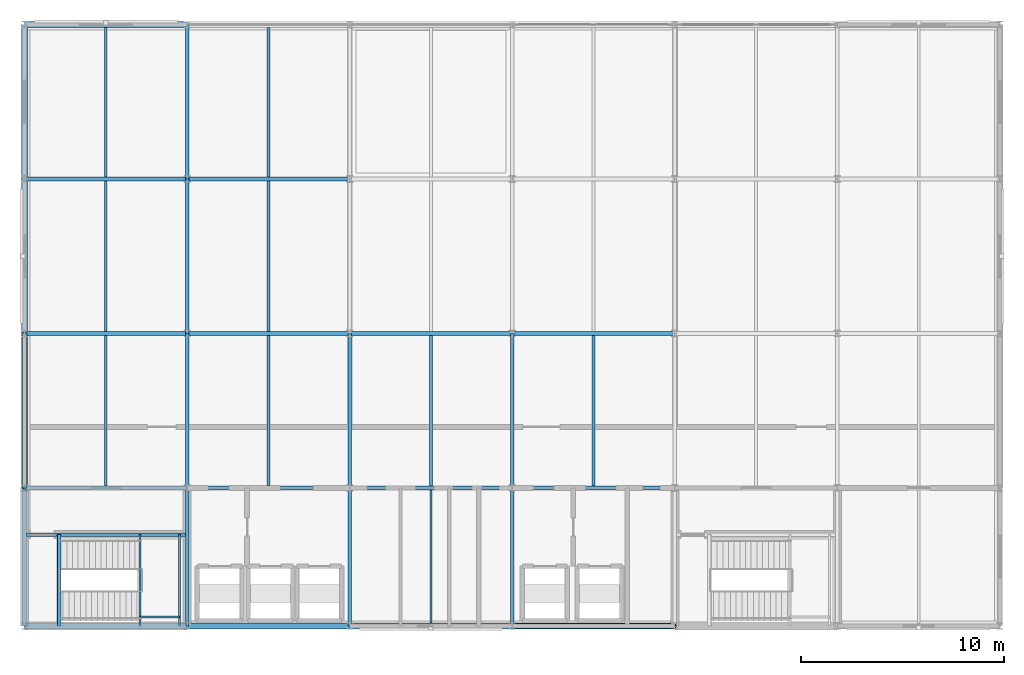
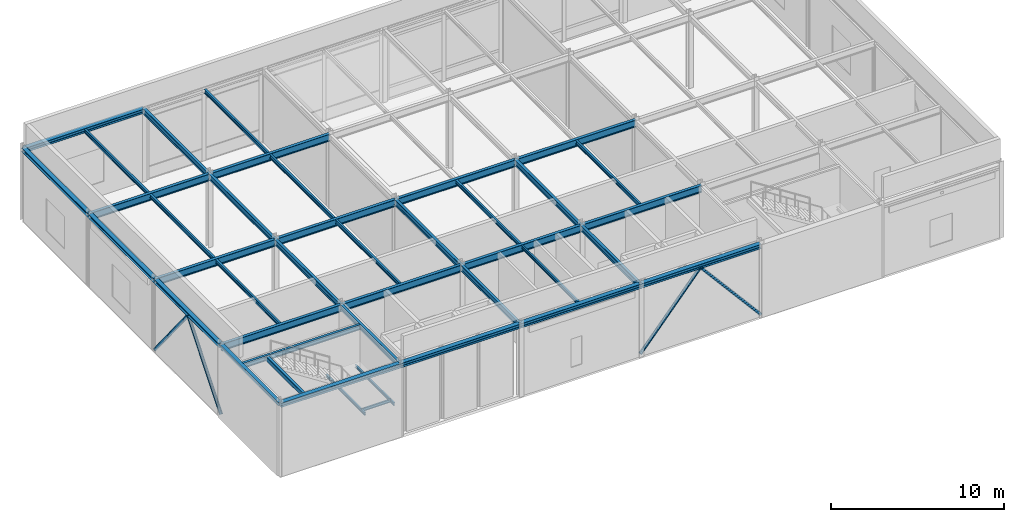
# One storey, part 3 of 12: 41 beams, 4 members.
"""IFC4 building model written with IfcOpenShell, lengths in metres."""

import ifcopenshell
import ifcopenshell.guid

model = None  # the IFC model being written
_history = None  # IfcOwnerHistory: only IFC2X3 demands one
_inside = {}  # id of a spatial element -> (the spatial element, [elements in it])
_under = {}  # id of a project, library or spatial element -> (it, [spatial elements below it])
_declared = {}  # id of a project -> (the project, [libraries it declares])
_typed = {}  # id of a type object -> (the type object, [elements of that type])
_made_of = {}  # id of a material, layer set ... -> (it, [elements and type objects made of it])


def new_model(schema):
    """Start an empty IFC model of exactly this schema.

    Asked for "IFC4X3", IfcOpenShell would pick the latest addendum, in which some entities
    have other attributes; the version numbers below select the first issue.
    IFC2X3 requires an IfcOwnerHistory on every rooted entity: one is made here for all.
    """
    global model, _history
    if schema == "IFC4X3":
        model = ifcopenshell.file(schema_version=(4, 3, 0, 0))
    else:
        model = ifcopenshell.file(schema=schema)
    _inside.clear()
    _under.clear()
    _declared.clear()
    _typed.clear()
    _made_of.clear()
    _history = None
    if model.schema == "IFC2X3":
        org = make("IfcOrganization", Name="unknown")
        user = make(
            "IfcPersonAndOrganization",
            ThePerson=make("IfcPerson", FamilyName="unknown"),
            TheOrganization=org,
        )
        app = make(
            "IfcApplication",
            ApplicationDeveloper=org,
            Version="unknown",
            ApplicationFullName="unknown",
            ApplicationIdentifier="unknown",
        )
        _history = make(
            "IfcOwnerHistory",
            OwningUser=user,
            OwningApplication=app,
            ChangeAction="ADDED",
            CreationDate=0,
        )
    return model


def make(cls, **values):
    """One entity of the class cls with the attributes given. An attribute that is None is left unset."""
    return model.create_entity(
        cls, **{name: value for name, value in values.items() if value is not None}
    )


def rooted(cls, **values):
    """An entity with a GlobalId (a new one), such as an element, a storey or a relation."""
    return make(cls, GlobalId=ifcopenshell.guid.new(), OwnerHistory=_history, **values)


def si_unit(unit_type, name, prefix=None):
    """IfcSIUnit, for example si_unit("LENGTHUNIT", "METRE", prefix="MILLI")."""
    return make("IfcSIUnit", UnitType=unit_type, Prefix=prefix, Name=name)


def assignment(units):
    """IfcUnitAssignment: the units of a project."""
    return None if units is None else make("IfcUnitAssignment", Units=units)


def point(xyz):
    """IfcCartesianPoint."""
    return None if xyz is None else make("IfcCartesianPoint", Coordinates=xyz)


def direction(xyz):
    """IfcDirection."""
    return None if xyz is None else make("IfcDirection", DirectionRatios=xyz)


def frame(location, z_axis=None, x_axis=None):
    """IfcAxis2Placement3D, a coordinate frame: its origin and axes. An axis left out is left unset."""
    return make(
        "IfcAxis2Placement3D",
        Location=point(location),
        Axis=direction(z_axis),
        RefDirection=direction(x_axis),
    )


def frame_2d(location, x_axis=None):
    """IfcAxis2Placement2D, a coordinate frame in the plane: its origin and x axis."""
    return make(
        "IfcAxis2Placement2D", Location=point(location), RefDirection=direction(x_axis)
    )


def origin():
    """The frame at (0, 0, 0) with its axes left unset."""
    return frame((0.0, 0.0, 0.0))


def origin_2d():
    """The frame at (0, 0) in the plane with its x axis left unset."""
    return frame_2d((0.0, 0.0))


def place(relative_to, where):
    """IfcLocalPlacement: puts the frame where relative to a parent placement (None: the world)."""
    return make(
        "IfcLocalPlacement", PlacementRelTo=relative_to, RelativePlacement=where
    )


def context(
    kind, dimensions, precision=None, world=None, true_north=None, identifier=None
):
    """IfcGeometricRepresentationContext, for example the 3D "Model" context."""
    return make(
        "IfcGeometricRepresentationContext",
        ContextIdentifier=identifier,
        ContextType=kind,
        CoordinateSpaceDimension=dimensions,
        Precision=precision,
        WorldCoordinateSystem=world,
        TrueNorth=true_north,
    )


def subcontext(parent, identifier, kind, view, scale=None):
    """IfcGeometricRepresentationSubContext, for example "Body" below "Model"."""
    return make(
        "IfcGeometricRepresentationSubContext",
        ContextIdentifier=identifier,
        ContextType=kind,
        ParentContext=parent,
        TargetScale=scale,
        TargetView=view,
    )


def project(units=None, contexts=None):
    """IfcProject with its units and contexts."""
    return rooted(
        "IfcProject",
        Name="project",
        RepresentationContexts=contexts,
        UnitsInContext=assignment(units),
    )


def spatial(cls, under=None, at=None, **own):
    """A site, building, storey or space (cls), placed at a placement, below another one or the project."""
    s = rooted(cls, ObjectPlacement=at, **own)
    if under is not None:
        _under.setdefault(under.id(), (under, []))[1].append(s)
    return s


def profile(cls, at=None, kind="AREA", **sizes):
    """A parametric profile (cls). Its sizes go by their IFC names, for example OverallWidth=200.0."""
    return make(cls, ProfileType=kind, Position=at, **sizes)


def hollow_rectangle(**sizes):
    """IfcRectangleHollowProfileDef."""
    return profile("IfcRectangleHollowProfileDef", **sizes)


def hollow_circle(**sizes):
    """IfcCircleHollowProfileDef."""
    return profile("IfcCircleHollowProfileDef", **sizes)


def i_section(**sizes):
    """IfcIShapeProfileDef."""
    return profile("IfcIShapeProfileDef", **sizes)


def extrude(swept, where, along, depth):
    """IfcExtrudedAreaSolid: the profile swept, set in the frame where, extruded along a direction by depth."""
    return make(
        "IfcExtrudedAreaSolid",
        SweptArea=swept,
        Position=where,
        ExtrudedDirection=direction(along),
        Depth=depth,
    )


def shape(context_of_items, identifier, shape_type, items):
    """IfcShapeRepresentation: the items that make up one representation, for example the "Body"."""
    return make(
        "IfcShapeRepresentation",
        ContextOfItems=context_of_items,
        RepresentationIdentifier=identifier,
        RepresentationType=shape_type,
        Items=items,
    )


def material(Name=None, Category=None):
    """IfcMaterial."""
    return make("IfcMaterial", Name=Name, Category=Category)


def material_profile(
    of_material, cross_section, Name=None, Category=None, Priority=None
):
    """IfcMaterialProfile: a cross section and its material."""
    return make(
        "IfcMaterialProfile",
        Name=Name,
        Material=of_material,
        Profile=cross_section,
        Priority=Priority,
        Category=Category,
    )


def profile_set(profiles, Name=None, composite=None):
    """IfcMaterialProfileSet."""
    return make(
        "IfcMaterialProfileSet",
        Name=Name,
        MaterialProfiles=profiles,
        CompositeProfile=composite,
    )


def made_of(thing, what):
    """Note that an element or type object is made of a material, layer set ...; save() writes the relation."""
    if what is not None:
        _made_of.setdefault(what.id(), (what, []))[1].append(thing)
    return thing


def type_object(cls, material=None, **own):
    """A type object (cls), such as IfcWallType, which elements share."""
    return made_of(rooted(cls, **own), material)


def element(
    cls,
    number,
    at=None,
    inside=None,
    cuts=None,
    type_object=None,
    material=None,
    context=None,
    identifier="Body",
    shape_type=None,
    held_by="IfcProductDefinitionShape",
    body=None,
    shapes=None,
    **own,
):
    """One element of the class cls, such as IfcWall. Its Tag is "e" and its number.

    at: its placement. inside: the storey or other place that contains it. cuts: it is an
    opening in that element (IfcRelVoidsElement). A single representation is given by context,
    identifier, shape_type and body (its items); several are given by shapes. held_by: the class
    of the entity that holds the representations. save() writes the other relations.
    """
    e = rooted(cls, Tag="e%d" % number, ObjectPlacement=at, **own)
    if body is not None:
        shapes = [shape(context, identifier, shape_type, body)]
    if shapes is not None:
        e.Representation = make(held_by, Representations=shapes)
    if inside is not None:
        _inside.setdefault(inside.id(), (inside, []))[1].append(e)
    if cuts is not None:
        rooted(
            "IfcRelVoidsElement", RelatingBuildingElement=cuts, RelatedOpeningElement=e
        )
    if type_object is not None:
        _typed.setdefault(type_object.id(), (type_object, []))[1].append(e)
    return made_of(e, material)


def aggregate(whole, parts):
    """IfcRelAggregates: a whole, such as a stair, and the parts it consists of."""
    return rooted("IfcRelAggregates", RelatingObject=whole, RelatedObjects=parts)


def save(model, path):
    """Write the relations noted so far, then the file.

    IfcRelAggregates (storeys below a building ...), IfcRelContainedInSpatialStructure (elements
    in a storey), IfcRelDefinesByType, IfcRelAssociatesMaterial and IfcRelDeclares: one each for
    every whole, place, type object, material and project.
    """
    for whole, parts in _under.values():
        aggregate(whole, parts)
    for where, things in _inside.values():
        rooted(
            "IfcRelContainedInSpatialStructure",
            RelatedElements=things,
            RelatingStructure=where,
        )
    for kind, things in _typed.values():
        rooted("IfcRelDefinesByType", RelatedObjects=things, RelatingType=kind)
    for what, things in _made_of.values():
        rooted("IfcRelAssociatesMaterial", RelatedObjects=things, RelatingMaterial=what)
    for by, libraries in _declared.values():
        rooted("IfcRelDeclares", RelatingContext=by, RelatedDefinitions=libraries)
    model.write(path)


model = new_model("IFC4")

# Units and contexts
model_context = context("Model", 3, precision=1e-05, world=origin(), true_north=direction((0.0, 1.0)))
body_context = subcontext(model_context, "Body", "Model", "MODEL_VIEW")
ifc_project = project(units=[si_unit("LENGTHUNIT", "METRE"), si_unit("AREAUNIT", "SQUARE_METRE"), si_unit("VOLUMEUNIT", "CUBIC_METRE"), si_unit("PLANEANGLEUNIT", "RADIAN"), si_unit("MASSUNIT", "GRAM", prefix="KILO")], contexts=[model_context])

# Site, building, storey
site_placement = place(None, origin())
site = spatial("IfcSite", under=ifc_project, at=site_placement, CompositionType="ELEMENT")
building_placement = place(site_placement, origin())
building = spatial("IfcBuilding", under=site, at=building_placement, Name="Shalkamar Park Central Library", CompositionType="ELEMENT")
storey_placement = place(building_placement, frame((0.0, 0.0, 72.300048828125)))
storey = spatial("IfcBuildingStorey", under=building, at=storey_placement, Name="L18", CompositionType="ELEMENT", Elevation=72.300048828125)

# Beams
ifc_material = material(Name="Steel S355", Category="steel")
ifc_material_profile_1 = material_profile(ifc_material, i_section(OverallWidth=0.10009765625, OverallDepth=0.199951171875, WebThickness=0.005615234375, FlangeThickness=0.008544921875, FilletRadius=0.011962890625, at=origin_2d()), Name="IPE 200")
ifc_profile_set_1 = profile_set([ifc_material_profile_1], Name="Steel S355")
beam_type_1 = type_object("IfcBeamType", Name="Composite Floor Joist IPE200", PredefinedType="JOIST", material=ifc_profile_set_1)
for number, where, z_axis, x_axis, name in (
    (1, (170.679931640625, 248.39990234375, 2.320068359375), (0.0, 1.0, 0.0), (-1.0, 0.0, 0.0), "Stair Half-Landing Beam ST-T1-L18-1"),
    (2, (172.6201171875, 248.39990234375, 2.320068359375), (0.0, 1.0, 0.0), (-1.0, 0.0, 0.0), "Stair Half-Landing Beam ST-T1-L18-2"),
):
    element("IfcBeam", number, at=place(storey_placement, frame(where, z_axis=z_axis, x_axis=x_axis)), inside=storey, type_object=beam_type_1, Name=name, PredefinedType="JOIST", context=body_context, shape_type="SweptSolid", body=[
        extrude(i_section(OverallWidth=0.10009765625, OverallDepth=0.199951171875, WebThickness=0.005615234375, FlangeThickness=0.008544921875, FilletRadius=0.011962890625, at=origin_2d()), origin(), (0.0, 0.0, 1.0), 4.5),
    ])
beam_1_placement = place(storey_placement, frame((170.679931640625, 248.85009765625, 2.320068359375), z_axis=(1.0, 0.0, 0.0), x_axis=(0.0, 1.0, 0.0)))
element("IfcBeam", 3, at=beam_1_placement, inside=storey, type_object=beam_type_1, Name="Stair Half-Landing Cross Tie ST-T1-L18-3", PredefinedType="JOIST", context=body_context, shape_type="SweptSolid", body=[
    extrude(i_section(OverallWidth=0.10009765625, OverallDepth=0.199951171875, WebThickness=0.005615234375, FlangeThickness=0.008544921875, FilletRadius=0.011962890625, at=origin_2d()), origin(), (0.0, 0.0, 1.0), 1.940185546875),
])
ifc_material_profile_2 = material_profile(ifc_material, i_section(OverallWidth=0.1201171875, OverallDepth=0.239990234375, WebThickness=0.006103515625, FlangeThickness=0.009765625, FilletRadius=0.014892578125, at=origin_2d()), Name="IPE 240")
ifc_profile_set_2 = profile_set([ifc_material_profile_2], Name="Steel S355")
beam_type_2 = type_object("IfcBeamType", Name="Composite Floor Joist IPE240", PredefinedType="JOIST", material=ifc_profile_set_2)
beam_2_placement = place(storey_placement, frame((185.0, 248.548095703125, 5.030029296875), z_axis=(0.0, 1.0, 0.0), x_axis=(-1.0, 0.0, 0.0)))
element("IfcBeam", 4, at=beam_2_placement, inside=storey, type_object=beam_type_2, Name="Composite Joist 09/B-1 (L18)", PredefinedType="JOIST", context=body_context, shape_type="SweptSolid", body=[
    extrude(i_section(OverallWidth=0.1201171875, OverallDepth=0.239990234375, WebThickness=0.006103515625, FlangeThickness=0.009765625, FilletRadius=0.014892578125, at=origin_2d()), origin(), (0.0, 0.0, 1.0), 6.553955078125),
])
ifc_material_profile_3 = material_profile(ifc_material, i_section(OverallWidth=0.135009765625, OverallDepth=0.27001953125, WebThickness=0.006591796875, FlangeThickness=0.01025390625, FilletRadius=0.014892578125, at=origin_2d()), Name="IPE 270")
ifc_profile_set_3 = profile_set([ifc_material_profile_3], Name="Steel S355")
beam_type_3 = type_object("IfcBeamType", Name="Composite Floor Joist IPE270", PredefinedType="JOIST", material=ifc_profile_set_3)
beam_3_placement = place(storey_placement, frame((169.0, 255.298095703125, 5.014892578125), z_axis=(0.0, 1.0, 0.0), x_axis=(-1.0, 0.0, 0.0)))
element("IfcBeam", 5, at=beam_3_placement, inside=storey, type_object=beam_type_3, Name="Composite Joist 07/C-1 (L18)", PredefinedType="JOIST", context=body_context, shape_type="SweptSolid", body=[
    extrude(i_section(OverallWidth=0.135009765625, OverallDepth=0.27001953125, WebThickness=0.006591796875, FlangeThickness=0.01025390625, FilletRadius=0.014892578125, at=origin_2d()), origin(), (0.0, 0.0, 1.0), 7.40380859375),
])
beam_4_placement = place(storey_placement, frame((169.0, 262.89794921875, 5.014892578125), z_axis=(0.0, 1.0, 0.0), x_axis=(-1.0, 0.0, 0.0)))
element("IfcBeam", 6, at=beam_4_placement, inside=storey, type_object=beam_type_3, Name="Composite Joist 07/D-1 (L18)", PredefinedType="JOIST", context=body_context, shape_type="SweptSolid", body=[
    extrude(i_section(OverallWidth=0.135009765625, OverallDepth=0.27001953125, WebThickness=0.006591796875, FlangeThickness=0.01025390625, FilletRadius=0.014892578125, at=origin_2d()), origin(), (0.0, 0.0, 1.0), 7.404052734375),
])
beam_5_placement = place(storey_placement, frame((169.0, 270.498046875, 5.014892578125), z_axis=(0.0, 1.0, 0.0), x_axis=(-1.0, 0.0, 0.0)))
element("IfcBeam", 7, at=beam_5_placement, inside=storey, type_object=beam_type_3, Name="Composite Joist 07/E-1 (L18)", PredefinedType="JOIST", context=body_context, shape_type="SweptSolid", body=[
    extrude(i_section(OverallWidth=0.135009765625, OverallDepth=0.27001953125, WebThickness=0.006591796875, FlangeThickness=0.01025390625, FilletRadius=0.014892578125, at=origin_2d()), origin(), (0.0, 0.0, 1.0), 7.35400390625),
])
beam_6_placement = place(storey_placement, frame((177.0, 255.298095703125, 5.014892578125), z_axis=(0.0, 1.0, 0.0), x_axis=(-1.0, 0.0, 0.0)))
element("IfcBeam", 8, at=beam_6_placement, inside=storey, type_object=beam_type_3, Name="Composite Joist 08/C-1 (L18)", PredefinedType="JOIST", context=body_context, shape_type="SweptSolid", body=[
    extrude(i_section(OverallWidth=0.135009765625, OverallDepth=0.27001953125, WebThickness=0.006591796875, FlangeThickness=0.01025390625, FilletRadius=0.014892578125, at=origin_2d()), origin(), (0.0, 0.0, 1.0), 7.40380859375),
])
beam_7_placement = place(storey_placement, frame((177.0, 262.89794921875, 5.014892578125), z_axis=(0.0, 1.0, 0.0), x_axis=(-1.0, 0.0, 0.0)))
element("IfcBeam", 9, at=beam_7_placement, inside=storey, type_object=beam_type_3, Name="Composite Joist 08/D-1 (L18)", PredefinedType="JOIST", context=body_context, shape_type="SweptSolid", body=[
    extrude(i_section(OverallWidth=0.135009765625, OverallDepth=0.27001953125, WebThickness=0.006591796875, FlangeThickness=0.01025390625, FilletRadius=0.014892578125, at=origin_2d()), origin(), (0.0, 0.0, 1.0), 7.404052734375),
])
beam_8_placement = place(storey_placement, frame((177.0, 270.498046875, 5.014892578125), z_axis=(0.0, 1.0, 0.0), x_axis=(-1.0, 0.0, 0.0)))
element("IfcBeam", 10, at=beam_8_placement, inside=storey, type_object=beam_type_3, Name="Composite Joist 08/E-1 (L18)", PredefinedType="JOIST", context=body_context, shape_type="SweptSolid", body=[
    extrude(i_section(OverallWidth=0.135009765625, OverallDepth=0.27001953125, WebThickness=0.006591796875, FlangeThickness=0.01025390625, FilletRadius=0.014892578125, at=origin_2d()), origin(), (0.0, 0.0, 1.0), 7.35400390625),
])
for number, where, z_axis, x_axis, name in (
    (11, (185.0, 255.298095703125, 5.014892578125), (0.0, 1.0, 0.0), (-1.0, 0.0, 0.0), "Composite Joist 09/C-1 (L18)"),
    (12, (193.0, 255.298095703125, 5.014892578125), (0.0, 1.0, 0.0), (-1.0, 0.0, 0.0), "Composite Joist 10/C-1 (L18)"),
):
    element("IfcBeam", number, at=place(storey_placement, frame(where, z_axis=z_axis, x_axis=x_axis)), inside=storey, type_object=beam_type_3, Name=name, PredefinedType="JOIST", context=body_context, shape_type="SweptSolid", body=[
        extrude(i_section(OverallWidth=0.135009765625, OverallDepth=0.27001953125, WebThickness=0.006591796875, FlangeThickness=0.01025390625, FilletRadius=0.014892578125, at=origin_2d()), origin(), (0.0, 0.0, 1.0), 7.40380859375),
    ])

# Members
ifc_material_profile_4 = material_profile(ifc_material, hollow_circle(Radius=0.109619140625, WallThickness=0.010009765625, at=origin_2d()), Name="CHS 219.1x10")
ifc_profile_set_4 = profile_set([ifc_material_profile_4], Name="Steel S355")
member_type = type_object("IfcMemberType", Name="Diagonal Brace CHS219", PredefinedType="BRACE", material=ifc_profile_set_4)
for number, where, z_axis, x_axis, name in (
    (13, (165.0, 255.199951171875, 0.14990234375), (0.0, 0.628730984529, 0.777622883596), (-1.0, 0.0, 0.0), "Chevron Brace TW-W Leg A (L18)"),
    (14, (165.0, 262.800048828125, 0.14990234375), (0.0, -0.628730984529, 0.777622883596), (1.0, 0.0, 0.0), "Chevron Brace TW-W Leg B (L18)"),
):
    element("IfcMember", number, at=place(storey_placement, frame(where, z_axis=z_axis, x_axis=x_axis)), inside=storey, type_object=member_type, Name=name, PredefinedType="BRACE", context=body_context, shape_type="SweptSolid", body=[
        extrude(hollow_circle(Radius=0.109619140625, WallThickness=0.010009765625, at=origin_2d()), origin(), (0.0, 0.0, 1.0), 6.0439453125),
    ])
for number, where, z_axis, x_axis, name in (
    (15, (189.0, 248.39990234375, 0.14990234375), (0.648122534457, 0.0, 0.761536066335), (0.0, 1.0, 0.0), "Chevron Brace TW-S Leg A (L18)"),
    (16, (197.0, 248.39990234375, 0.14990234375), (-0.648122534457, 0.0, 0.761536066335), (0.0, -1.0, 0.0), "Chevron Brace TW-S Leg B (L18)"),
):
    element("IfcMember", number, at=place(storey_placement, frame(where, z_axis=z_axis, x_axis=x_axis)), inside=storey, type_object=member_type, Name=name, PredefinedType="BRACE", context=body_context, shape_type="SweptSolid", body=[
        extrude(hollow_circle(Radius=0.109619140625, WallThickness=0.010009765625, at=origin_2d()), origin(), (0.0, 0.0, 1.0), 6.171630859375),
    ])

# Beams
ifc_material_profile_5 = material_profile(ifc_material, i_section(OverallWidth=0.239990234375, OverallDepth=0.22998046875, WebThickness=0.007568359375, FlangeThickness=0.011962890625, FilletRadius=0.02099609375, at=origin_2d()), Name="HEA 240")
ifc_profile_set_5 = profile_set([ifc_material_profile_5], Name="Steel S355")
beam_type_4 = type_object("IfcBeamType", Name="Perimeter Spandrel Beam HEA240", PredefinedType="SPANDREL", material=ifc_profile_set_5)
beam_9_placement = place(storey_placement, frame((165.0, 248.39990234375, 5.034912109375), z_axis=(0.0, 1.0, 0.0), x_axis=(-1.0, 0.0, 0.0)))
element("IfcBeam", 17, at=beam_9_placement, inside=storey, type_object=beam_type_4, Name="Beam 07:B-C (L18)", PredefinedType="SPANDREL", context=body_context, shape_type="SweptSolid", body=[
    extrude(i_section(OverallWidth=0.239990234375, OverallDepth=0.22998046875, WebThickness=0.007568359375, FlangeThickness=0.011962890625, FilletRadius=0.02099609375, at=origin_2d()), origin(), (0.0, 0.0, 1.0), 6.800048828125),
])
ifc_material_profile_6 = material_profile(ifc_material, i_section(OverallWidth=0.280029296875, OverallDepth=0.27001953125, WebThickness=0.008056640625, FlangeThickness=0.012939453125, FilletRadius=0.02392578125, at=origin_2d()), Name="HEA 280")
ifc_profile_set_6 = profile_set([ifc_material_profile_6], Name="Steel S355")
beam_type_5 = type_object("IfcBeamType", Name="Perimeter Spandrel Beam HEA280", PredefinedType="SPANDREL", material=ifc_profile_set_6)
beam_10_placement = place(storey_placement, frame((165.0, 255.199951171875, 5.014892578125), z_axis=(0.0, 1.0, 0.0), x_axis=(-1.0, 0.0, 0.0)))
element("IfcBeam", 18, at=beam_10_placement, inside=storey, type_object=beam_type_5, Name="Beam 07:C-D (L18)", PredefinedType="SPANDREL", context=body_context, shape_type="SweptSolid", body=[
    extrude(i_section(OverallWidth=0.280029296875, OverallDepth=0.27001953125, WebThickness=0.008056640625, FlangeThickness=0.012939453125, FilletRadius=0.02392578125, at=origin_2d()), origin(), (0.0, 0.0, 1.0), 7.60009765625),
])
beam_11_placement = place(storey_placement, frame((165.0, 262.800048828125, 5.014892578125), z_axis=(0.0, 1.0, 0.0), x_axis=(-1.0, 0.0, 0.0)))
element("IfcBeam", 19, at=beam_11_placement, inside=storey, type_object=beam_type_5, Name="Beam 07:D-E (L18)", PredefinedType="SPANDREL", context=body_context, shape_type="SweptSolid", body=[
    extrude(i_section(OverallWidth=0.280029296875, OverallDepth=0.27001953125, WebThickness=0.008056640625, FlangeThickness=0.012939453125, FilletRadius=0.02392578125, at=origin_2d()), origin(), (0.0, 0.0, 1.0), 7.599853515625),
])
beam_12_placement = place(storey_placement, frame((165.0, 270.39990234375, 5.014892578125), z_axis=(0.0, 1.0, 0.0), x_axis=(-1.0, 0.0, 0.0)))
element("IfcBeam", 20, at=beam_12_placement, inside=storey, type_object=beam_type_5, Name="Beam 07:E-F (L18)", PredefinedType="SPANDREL", context=body_context, shape_type="SweptSolid", body=[
    extrude(i_section(OverallWidth=0.280029296875, OverallDepth=0.27001953125, WebThickness=0.008056640625, FlangeThickness=0.012939453125, FilletRadius=0.02392578125, at=origin_2d()), origin(), (0.0, 0.0, 1.0), 7.60009765625),
])
ifc_material_profile_7 = material_profile(ifc_material, i_section(OverallWidth=0.300048828125, OverallDepth=0.31005859375, WebThickness=0.009033203125, FlangeThickness=0.015380859375, FilletRadius=0.027099609375, at=origin_2d()), Name="HEA 320")
ifc_profile_set_7 = profile_set([ifc_material_profile_7], Name="Steel S355")
beam_type_6 = type_object("IfcBeamType", Name="Perimeter Spandrel Beam HEA320", PredefinedType="SPANDREL", material=ifc_profile_set_7)
for number, where, z_axis, x_axis, name in (
    (21, (165.0, 248.39990234375, 4.994873046875), (1.0, 0.0, 0.0), (0.0, 1.0, 0.0), "Beam B:07-08 (L18)"),
    (22, (173.0, 248.39990234375, 4.994873046875), (1.0, 0.0, 0.0), (0.0, 1.0, 0.0), "Beam B:08-09 (L18)"),
    (23, (181.0, 248.39990234375, 4.994873046875), (1.0, 0.0, 0.0), (0.0, 1.0, 0.0), "Beam B:09-10 (L18)"),
    (24, (189.0, 248.39990234375, 4.994873046875), (1.0, 0.0, 0.0), (0.0, 1.0, 0.0), "Beam B:10-11 (L18)"),
    (25, (165.0, 278.0, 4.994873046875), (1.0, 0.0, 0.0), (0.0, 1.0, 0.0), "Beam F:07-08 (L18)"),
):
    element("IfcBeam", number, at=place(storey_placement, frame(where, z_axis=z_axis, x_axis=x_axis)), inside=storey, type_object=beam_type_6, Name=name, PredefinedType="SPANDREL", context=body_context, shape_type="SweptSolid", body=[
        extrude(i_section(OverallWidth=0.300048828125, OverallDepth=0.31005859375, WebThickness=0.009033203125, FlangeThickness=0.015380859375, FilletRadius=0.027099609375, at=origin_2d()), origin(), (0.0, 0.0, 1.0), 8.0),
    ])
ifc_material_profile_8 = material_profile(ifc_material, i_section(OverallWidth=0.169921875, OverallDepth=0.360107421875, WebThickness=0.008056640625, FlangeThickness=0.0126953125, FilletRadius=0.01806640625, at=origin_2d()), Name="IPE 360")
ifc_profile_set_8 = profile_set([ifc_material_profile_8], Name="Steel S355")
beam_type_7 = type_object("IfcBeamType", Name="Primary Girder IPE360", PredefinedType="BEAM", material=ifc_profile_set_8)
beam_13_placement = place(storey_placement, frame((165.087890625, 252.89990234375, 4.969970703125), z_axis=(1.0, 0.0, 0.0), x_axis=(0.0, 1.0, 0.0)))
element("IfcBeam", 26, at=beam_13_placement, inside=storey, type_object=beam_type_7, Name="CORE-T1 Stairwell Divider Beam (L18)", PredefinedType="BEAM", context=body_context, shape_type="SweptSolid", body=[
    extrude(i_section(OverallWidth=0.169921875, OverallDepth=0.360107421875, WebThickness=0.008056640625, FlangeThickness=0.0126953125, FilletRadius=0.01806640625, at=origin_2d()), origin(), (0.0, 0.0, 1.0), 7.82421875),
])
ifc_material_profile_9 = material_profile(ifc_material, i_section(OverallWidth=0.179931640625, OverallDepth=0.39990234375, WebThickness=0.008544921875, FlangeThickness=0.013427734375, FilletRadius=0.02099609375, at=origin_2d()), Name="IPE 400")
ifc_profile_set_9 = profile_set([ifc_material_profile_9], Name="Steel S355")
beam_type_8 = type_object("IfcBeamType", Name="Primary Girder IPE400", PredefinedType="BEAM", material=ifc_profile_set_9)
beam_14_placement = place(storey_placement, frame((173.0, 248.39990234375, 4.949951171875), z_axis=(0.0, 1.0, 0.0), x_axis=(-1.0, 0.0, 0.0)))
element("IfcBeam", 27, at=beam_14_placement, inside=storey, type_object=beam_type_8, Name="Beam 08:B-C (L18)", PredefinedType="BEAM", context=body_context, shape_type="SweptSolid", body=[
    extrude(i_section(OverallWidth=0.179931640625, OverallDepth=0.39990234375, WebThickness=0.008544921875, FlangeThickness=0.013427734375, FilletRadius=0.02099609375, at=origin_2d()), origin(), (0.0, 0.0, 1.0), 6.800048828125),
])
beam_15_placement = place(storey_placement, frame((173.0, 255.199951171875, 4.949951171875), z_axis=(0.0, 1.0, 0.0), x_axis=(-1.0, 0.0, 0.0)))
element("IfcBeam", 28, at=beam_15_placement, inside=storey, type_object=beam_type_8, Name="Beam 08:C-D (L18)", PredefinedType="BEAM", context=body_context, shape_type="SweptSolid", body=[
    extrude(i_section(OverallWidth=0.179931640625, OverallDepth=0.39990234375, WebThickness=0.008544921875, FlangeThickness=0.013427734375, FilletRadius=0.02099609375, at=origin_2d()), origin(), (0.0, 0.0, 1.0), 7.60009765625),
])
beam_16_placement = place(storey_placement, frame((173.0, 262.800048828125, 4.949951171875), z_axis=(0.0, 1.0, 0.0), x_axis=(-1.0, 0.0, 0.0)))
element("IfcBeam", 29, at=beam_16_placement, inside=storey, type_object=beam_type_8, Name="Beam 08:D-E (L18)", PredefinedType="BEAM", context=body_context, shape_type="SweptSolid", body=[
    extrude(i_section(OverallWidth=0.179931640625, OverallDepth=0.39990234375, WebThickness=0.008544921875, FlangeThickness=0.013427734375, FilletRadius=0.02099609375, at=origin_2d()), origin(), (0.0, 0.0, 1.0), 7.599853515625),
])
beam_17_placement = place(storey_placement, frame((173.0, 270.39990234375, 4.949951171875), z_axis=(0.0, 1.0, 0.0), x_axis=(-1.0, 0.0, 0.0)))
element("IfcBeam", 30, at=beam_17_placement, inside=storey, type_object=beam_type_8, Name="Beam 08:E-F (L18)", PredefinedType="BEAM", context=body_context, shape_type="SweptSolid", body=[
    extrude(i_section(OverallWidth=0.179931640625, OverallDepth=0.39990234375, WebThickness=0.008544921875, FlangeThickness=0.013427734375, FilletRadius=0.02099609375, at=origin_2d()), origin(), (0.0, 0.0, 1.0), 7.60009765625),
])
beam_18_placement = place(storey_placement, frame((181.0, 248.39990234375, 4.949951171875), z_axis=(0.0, 1.0, 0.0), x_axis=(-1.0, 0.0, 0.0)))
element("IfcBeam", 31, at=beam_18_placement, inside=storey, type_object=beam_type_8, Name="Beam 09:B-C (L18)", PredefinedType="BEAM", context=body_context, shape_type="SweptSolid", body=[
    extrude(i_section(OverallWidth=0.179931640625, OverallDepth=0.39990234375, WebThickness=0.008544921875, FlangeThickness=0.013427734375, FilletRadius=0.02099609375, at=origin_2d()), origin(), (0.0, 0.0, 1.0), 6.800048828125),
])
beam_19_placement = place(storey_placement, frame((181.0, 255.199951171875, 4.949951171875), z_axis=(0.0, 1.0, 0.0), x_axis=(-1.0, 0.0, 0.0)))
element("IfcBeam", 32, at=beam_19_placement, inside=storey, type_object=beam_type_8, Name="Beam 09:C-D (L18)", PredefinedType="BEAM", context=body_context, shape_type="SweptSolid", body=[
    extrude(i_section(OverallWidth=0.179931640625, OverallDepth=0.39990234375, WebThickness=0.008544921875, FlangeThickness=0.013427734375, FilletRadius=0.02099609375, at=origin_2d()), origin(), (0.0, 0.0, 1.0), 7.60009765625),
])
beam_20_placement = place(storey_placement, frame((189.0, 248.39990234375, 4.949951171875), z_axis=(0.0, 1.0, 0.0), x_axis=(-1.0, 0.0, 0.0)))
element("IfcBeam", 33, at=beam_20_placement, inside=storey, type_object=beam_type_8, Name="Beam 10:B-C (L18)", PredefinedType="BEAM", context=body_context, shape_type="SweptSolid", body=[
    extrude(i_section(OverallWidth=0.179931640625, OverallDepth=0.39990234375, WebThickness=0.008544921875, FlangeThickness=0.013427734375, FilletRadius=0.02099609375, at=origin_2d()), origin(), (0.0, 0.0, 1.0), 6.800048828125),
])
beam_21_placement = place(storey_placement, frame((189.0, 255.199951171875, 4.949951171875), z_axis=(0.0, 1.0, 0.0), x_axis=(-1.0, 0.0, 0.0)))
element("IfcBeam", 34, at=beam_21_placement, inside=storey, type_object=beam_type_8, Name="Beam 10:C-D (L18)", PredefinedType="BEAM", context=body_context, shape_type="SweptSolid", body=[
    extrude(i_section(OverallWidth=0.179931640625, OverallDepth=0.39990234375, WebThickness=0.008544921875, FlangeThickness=0.013427734375, FilletRadius=0.02099609375, at=origin_2d()), origin(), (0.0, 0.0, 1.0), 7.60009765625),
])
ifc_material_profile_10 = material_profile(ifc_material, i_section(OverallWidth=0.199951171875, OverallDepth=0.5, WebThickness=0.01025390625, FlangeThickness=0.01611328125, FilletRadius=0.02099609375, at=origin_2d()), Name="IPE 500")
ifc_profile_set_10 = profile_set([ifc_material_profile_10], Name="Steel S355")
beam_type_9 = type_object("IfcBeamType", Name="Primary Girder IPE500", PredefinedType="BEAM", material=ifc_profile_set_10)
for number, where, z_axis, x_axis, name in (
    (35, (165.0, 255.199951171875, 4.89990234375), (1.0, 0.0, 0.0), (0.0, 1.0, 0.0), "Beam C:07-08 (L18)"),
    (36, (173.0, 255.199951171875, 4.89990234375), (1.0, 0.0, 0.0), (0.0, 1.0, 0.0), "Beam C:08-09 (L18)"),
    (37, (181.0, 255.199951171875, 4.89990234375), (1.0, 0.0, 0.0), (0.0, 1.0, 0.0), "Beam C:09-10 (L18)"),
    (38, (189.0, 255.199951171875, 4.89990234375), (1.0, 0.0, 0.0), (0.0, 1.0, 0.0), "Beam C:10-11 (L18)"),
    (39, (165.0, 262.800048828125, 4.89990234375), (1.0, 0.0, 0.0), (0.0, 1.0, 0.0), "Beam D:07-08 (L18)"),
    (40, (173.0, 262.800048828125, 4.89990234375), (1.0, 0.0, 0.0), (0.0, 1.0, 0.0), "Beam D:08-09 (L18)"),
    (41, (181.0, 262.800048828125, 4.89990234375), (1.0, 0.0, 0.0), (0.0, 1.0, 0.0), "Beam D:09-10 (L18)"),
    (42, (189.0, 262.800048828125, 4.89990234375), (1.0, 0.0, 0.0), (0.0, 1.0, 0.0), "Beam D:10-11 (L18)"),
    (43, (165.0, 270.39990234375, 4.89990234375), (1.0, 0.0, 0.0), (0.0, 1.0, 0.0), "Beam E:07-08 (L18)"),
    (44, (173.0, 270.39990234375, 4.89990234375), (1.0, 0.0, 0.0), (0.0, 1.0, 0.0), "Beam E:08-09 (L18)"),
):
    element("IfcBeam", number, at=place(storey_placement, frame(where, z_axis=z_axis, x_axis=x_axis)), inside=storey, type_object=beam_type_9, Name=name, PredefinedType="BEAM", context=body_context, shape_type="SweptSolid", body=[
        extrude(i_section(OverallWidth=0.199951171875, OverallDepth=0.5, WebThickness=0.01025390625, FlangeThickness=0.01611328125, FilletRadius=0.02099609375, at=origin_2d()), origin(), (0.0, 0.0, 1.0), 8.0),
    ])
ifc_material_profile_11 = material_profile(ifc_material, hollow_rectangle(XDim=0.199951171875, YDim=0.300048828125, WallThickness=0.011962890625, InnerFilletRadius=0.011962890625, OuterFilletRadius=0.01806640625, at=origin_2d()), Name="RHS 300x200x12")
ifc_profile_set_11 = profile_set([ifc_material_profile_11], Name="Steel S355")
beam_type_10 = type_object("IfcBeamType", Name="Stair Trimmer Box RHS300x200", PredefinedType="BEAM", material=ifc_profile_set_11)
beam_22_placement = place(storey_placement, frame((166.699951171875, 248.39990234375, 4.969970703125), z_axis=(0.0, 1.0, 0.0), x_axis=(-1.0, 0.0, 0.0)))
element("IfcBeam", 45, at=beam_22_placement, inside=storey, type_object=beam_type_10, Name="Stair Arrival Trimmer Girder ST-T1-L18", PredefinedType="BEAM", context=body_context, shape_type="SweptSolid", body=[
    extrude(hollow_rectangle(XDim=0.199951171875, YDim=0.300048828125, WallThickness=0.011962890625, InnerFilletRadius=0.011962890625, OuterFilletRadius=0.01806640625, at=origin_2d()), origin(), (0.0, 0.0, 1.0), 4.5),
])

save(model, "model.ifc")
